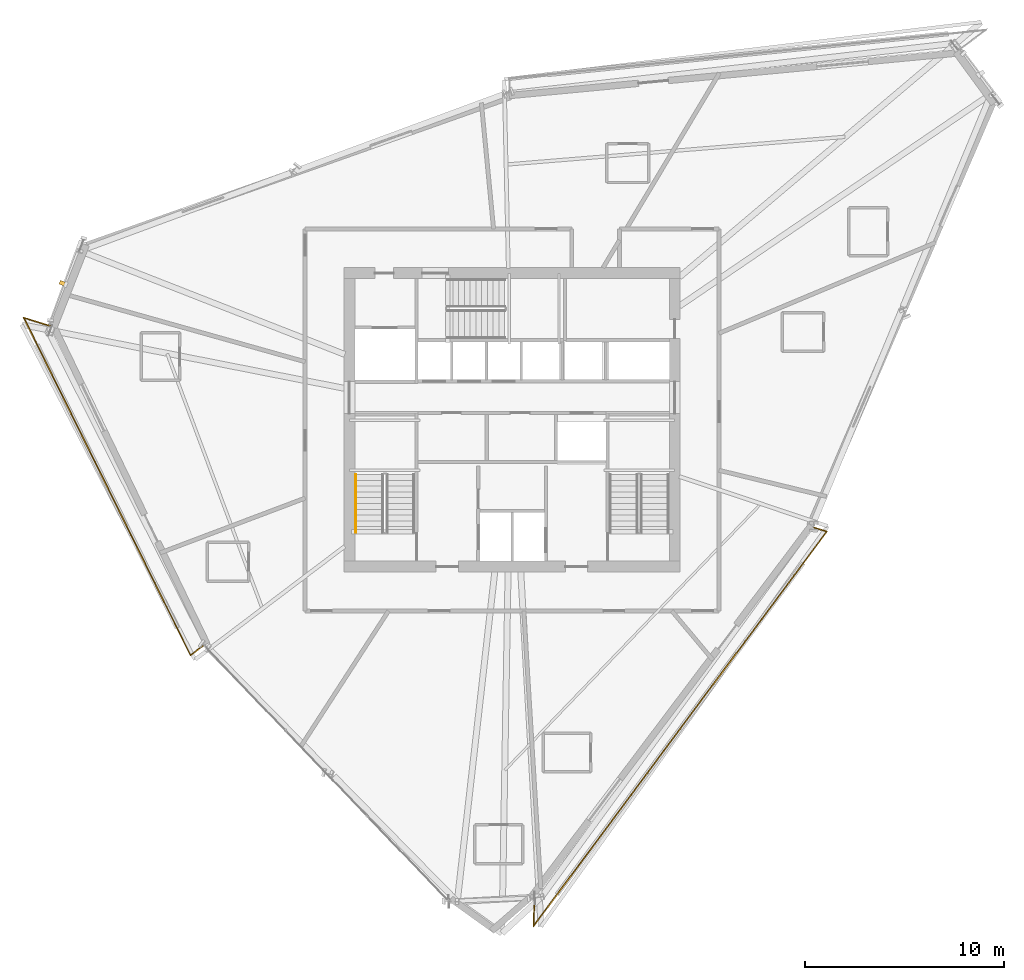
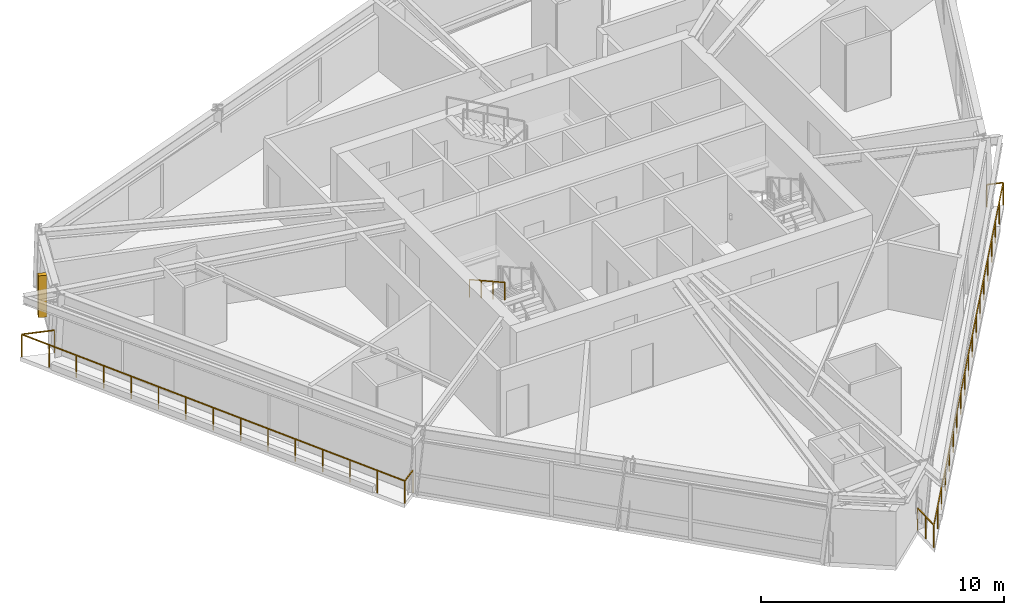
# One storey, part 12 of 14: 3 railings, 1 shading device.
"""IFC4 building model written with IfcOpenShell, lengths in metres."""

from ifc_helpers import new_model, si_unit, direction, frame, origin, origin_2d, place, context, subcontext, project, spatial, rectangle, extrude, source, transform, mapped, material, type_object, element, save


model = new_model("IFC4")

# Units and contexts
model_context = context("Model", 3, precision=1e-05, world=origin(), true_north=direction((0.0, 1.0)))
body_context = subcontext(model_context, "Body", "Model", "MODEL_VIEW")
ifc_project = project(units=[si_unit("LENGTHUNIT", "METRE"), si_unit("AREAUNIT", "SQUARE_METRE"), si_unit("VOLUMEUNIT", "CUBIC_METRE"), si_unit("PLANEANGLEUNIT", "RADIAN"), si_unit("MASSUNIT", "GRAM", prefix="KILO")], contexts=[model_context])

# Site, building, storey
site_placement = place(None, origin())
site = spatial("IfcSite", under=ifc_project, at=site_placement, CompositionType="ELEMENT")
building_placement = place(site_placement, origin())
building = spatial("IfcBuilding", under=site, at=building_placement, Name="Olszyna Solenne Hotel", CompositionType="ELEMENT")
storey_placement = place(building_placement, frame((0.0, 0.0, 182.10009765625)))
storey = spatial("IfcBuildingStorey", under=building, at=storey_placement, Name="L48", CompositionType="ELEMENT", Elevation=182.10009765625)

# Railings
ifc_material_1 = material(Name="Anodised bronze aluminium", Category="aluminium")
railing_type_1 = type_object("IfcRailingType", Name="GR-110", PredefinedType="BALUSTRADE", material=ifc_material_1)
railing_1_placement = place(storey_placement, frame((14.7744140625, 31.32470703125, 0.0)))
element("IfcRailing", 1, at=railing_1_placement, inside=storey, type_object=railing_type_1, Name="Loggia balcony balustrade guard GR-L48-LG2", PredefinedType="BALUSTRADE", context=body_context, shape_type="SweptSolid", body=[
    extrude(rectangle(XDim=0.048095703125, YDim=0.048095703125, at=origin_2d()), frame((0.0, 0.0, 1.1259765625), z_axis=(-0.954094924955, 0.299504380895, 0.0), x_axis=(-0.299504380895, -0.954094924955, 0.0)), (0.0, 0.0, 1.0), 1.379150390625),
    extrude(rectangle(XDim=0.048095703125, YDim=0.048095703125, at=origin_2d()), frame((-1.31591796875, 0.4130859375, 1.1259765625), z_axis=(0.442955137069, -0.896543778376, 0.0), x_axis=(0.896543778376, 0.442955137069, 0.0)), (0.0, 0.0, 1.0), 18.918701171875),
    extrude(rectangle(XDim=0.048095703125, YDim=0.048095703125, at=origin_2d()), frame((7.064208984375, -16.54833984375, 1.1259765625), z_axis=(0.804685702231, 0.593701036402, 0.0), x_axis=(-0.593701036402, 0.804685702231, 0.0)), (0.0, 0.0, 1.0), 0.845947265625),
    extrude(rectangle(XDim=0.0419921875, YDim=0.0419921875, at=origin_2d()), origin(), (0.0, 0.0, 1.0), 1.101806640625),
    extrude(rectangle(XDim=0.0419921875, YDim=0.0419921875, at=origin_2d()), frame((-1.31591796875, 0.4130859375, 0.0)), (0.0, 0.0, 1.0), 1.101806640625),
    extrude(rectangle(XDim=0.0419921875, YDim=0.0419921875, at=origin_2d()), frame((-0.71728515625, -0.79833984375, 0.0)), (0.0, 0.0, 1.0), 1.101806640625),
    extrude(rectangle(XDim=0.0419921875, YDim=0.0419921875, at=origin_2d()), frame((-0.11865234375, -2.010009765625, 0.0)), (0.0, 0.0, 1.0), 1.101806640625),
    extrude(rectangle(XDim=0.0419921875, YDim=0.0419921875, at=origin_2d()), frame((0.479736328125, -3.221435546875, 0.0)), (0.0, 0.0, 1.0), 1.101806640625),
    extrude(rectangle(XDim=0.0419921875, YDim=0.0419921875, at=origin_2d()), frame((1.078369140625, -4.43310546875, 0.0)), (0.0, 0.0, 1.0), 1.101806640625),
    extrude(rectangle(XDim=0.0419921875, YDim=0.0419921875, at=origin_2d()), frame((1.677001953125, -5.64453125, 0.0)), (0.0, 0.0, 1.0), 1.101806640625),
    extrude(rectangle(XDim=0.0419921875, YDim=0.0419921875, at=origin_2d()), frame((2.275634765625, -6.856201171875, 0.0)), (0.0, 0.0, 1.0), 1.101806640625),
    extrude(rectangle(XDim=0.0419921875, YDim=0.0419921875, at=origin_2d()), frame((2.8740234375, -8.067626953125, 0.0)), (0.0, 0.0, 1.0), 1.101806640625),
    extrude(rectangle(XDim=0.0419921875, YDim=0.0419921875, at=origin_2d()), frame((3.47265625, -9.279052734375, 0.0)), (0.0, 0.0, 1.0), 1.101806640625),
    extrude(rectangle(XDim=0.0419921875, YDim=0.0419921875, at=origin_2d()), frame((4.0712890625, -10.49072265625, 0.0)), (0.0, 0.0, 1.0), 1.101806640625),
    extrude(rectangle(XDim=0.0419921875, YDim=0.0419921875, at=origin_2d()), frame((4.669921875, -11.7021484375, 0.0)), (0.0, 0.0, 1.0), 1.101806640625),
    extrude(rectangle(XDim=0.0419921875, YDim=0.0419921875, at=origin_2d()), frame((5.2685546875, -12.913818359375, 0.0)), (0.0, 0.0, 1.0), 1.101806640625),
    extrude(rectangle(XDim=0.0419921875, YDim=0.0419921875, at=origin_2d()), frame((5.866943359375, -14.125244140625, 0.0)), (0.0, 0.0, 1.0), 1.101806640625),
    extrude(rectangle(XDim=0.0419921875, YDim=0.0419921875, at=origin_2d()), frame((6.465576171875, -15.3369140625, 0.0)), (0.0, 0.0, 1.0), 1.101806640625),
    extrude(rectangle(XDim=0.0419921875, YDim=0.0419921875, at=origin_2d()), frame((7.064208984375, -16.54833984375, 0.0)), (0.0, 0.0, 1.0), 1.101806640625),
    extrude(rectangle(XDim=0.0419921875, YDim=0.0419921875, at=origin_2d()), frame((7.744873046875, -16.046142578125, 0.0)), (0.0, 0.0, 1.0), 1.101806640625),
])
railing_2_placement = place(storey_placement, frame((39.125, 2.577392578125, 0.0)))
element("IfcRailing", 2, at=railing_2_placement, inside=storey, type_object=railing_type_1, Name="Loggia balcony balustrade guard GR-L48-LG3", PredefinedType="BALUSTRADE", context=body_context, shape_type="SweptSolid", body=[
    extrude(rectangle(XDim=0.048095703125, YDim=0.048095703125, at=origin_2d()), frame((0.0, 0.0, 1.1259765625), z_axis=(-0.032013890283, -0.999487424047, 0.0), x_axis=(0.999487424047, -0.032013890283, 0.0)), (0.0, 0.0, 1.0), 1.41845703125),
    extrude(rectangle(XDim=0.048095703125, YDim=0.048095703125, at=origin_2d()), frame((-0.04541015625, -1.417724609375, 1.1259765625), z_axis=(0.596476446834, 0.802630580263, 0.0), x_axis=(-0.802630580263, 0.596476446834, 0.0)), (0.0, 0.0, 1.0), 24.707275390625),
    extrude(rectangle(XDim=0.048095703125, YDim=0.048095703125, at=origin_2d()), frame((14.69189453125, 18.4130859375, 1.1259765625), z_axis=(-0.953993716901, 0.29982659674, 0.0), x_axis=(-0.29982659674, -0.953993716901, 0.0)), (0.0, 0.0, 1.0), 0.689697265625),
    extrude(rectangle(XDim=0.0419921875, YDim=0.0419921875, at=origin_2d()), origin(), (0.0, 0.0, 1.0), 1.101806640625),
    extrude(rectangle(XDim=0.0419921875, YDim=0.0419921875, at=origin_2d()), frame((-0.022705078125, -0.708984375, 0.0)), (0.0, 0.0, 1.0), 1.101806640625),
    extrude(rectangle(XDim=0.0419921875, YDim=0.0419921875, at=origin_2d()), frame((-0.04541015625, -1.417724609375, 0.0)), (0.0, 0.0, 1.0), 1.101806640625),
    extrude(rectangle(XDim=0.0419921875, YDim=0.0419921875, at=origin_2d()), frame((0.7734375, -0.31591796875, 0.0)), (0.0, 0.0, 1.0), 1.101806640625),
    extrude(rectangle(XDim=0.0419921875, YDim=0.0419921875, at=origin_2d()), frame((1.592041015625, 0.78564453125, 0.0)), (0.0, 0.0, 1.0), 1.101806640625),
    extrude(rectangle(XDim=0.0419921875, YDim=0.0419921875, at=origin_2d()), frame((2.410888671875, 1.887451171875, 0.0)), (0.0, 0.0, 1.0), 1.101806640625),
    extrude(rectangle(XDim=0.0419921875, YDim=0.0419921875, at=origin_2d()), frame((3.2294921875, 2.989013671875, 0.0)), (0.0, 0.0, 1.0), 1.101806640625),
    extrude(rectangle(XDim=0.0419921875, YDim=0.0419921875, at=origin_2d()), frame((4.04833984375, 4.0908203125, 0.0)), (0.0, 0.0, 1.0), 1.101806640625),
    extrude(rectangle(XDim=0.0419921875, YDim=0.0419921875, at=origin_2d()), frame((4.866943359375, 5.192626953125, 0.0)), (0.0, 0.0, 1.0), 1.101806640625),
    extrude(rectangle(XDim=0.0419921875, YDim=0.0419921875, at=origin_2d()), frame((5.685791015625, 6.294189453125, 0.0)), (0.0, 0.0, 1.0), 1.101806640625),
    extrude(rectangle(XDim=0.0419921875, YDim=0.0419921875, at=origin_2d()), frame((6.50439453125, 7.39599609375, 0.0)), (0.0, 0.0, 1.0), 1.101806640625),
    extrude(rectangle(XDim=0.0419921875, YDim=0.0419921875, at=origin_2d()), frame((7.3232421875, 8.49755859375, 0.0)), (0.0, 0.0, 1.0), 1.101806640625),
    extrude(rectangle(XDim=0.0419921875, YDim=0.0419921875, at=origin_2d()), frame((8.14208984375, 9.599365234375, 0.0)), (0.0, 0.0, 1.0), 1.101806640625),
    extrude(rectangle(XDim=0.0419921875, YDim=0.0419921875, at=origin_2d()), frame((8.960693359375, 10.701171875, 0.0)), (0.0, 0.0, 1.0), 1.101806640625),
    extrude(rectangle(XDim=0.0419921875, YDim=0.0419921875, at=origin_2d()), frame((9.779541015625, 11.802734375, 0.0)), (0.0, 0.0, 1.0), 1.101806640625),
    extrude(rectangle(XDim=0.0419921875, YDim=0.0419921875, at=origin_2d()), frame((10.59814453125, 12.904541015625, 0.0)), (0.0, 0.0, 1.0), 1.101806640625),
    extrude(rectangle(XDim=0.0419921875, YDim=0.0419921875, at=origin_2d()), frame((11.4169921875, 14.00634765625, 0.0)), (0.0, 0.0, 1.0), 1.101806640625),
    extrude(rectangle(XDim=0.0419921875, YDim=0.0419921875, at=origin_2d()), frame((12.235595703125, 15.10791015625, 0.0)), (0.0, 0.0, 1.0), 1.101806640625),
    extrude(rectangle(XDim=0.0419921875, YDim=0.0419921875, at=origin_2d()), frame((13.054443359375, 16.209716796875, 0.0)), (0.0, 0.0, 1.0), 1.101806640625),
    extrude(rectangle(XDim=0.0419921875, YDim=0.0419921875, at=origin_2d()), frame((13.873046875, 17.311279296875, 0.0)), (0.0, 0.0, 1.0), 1.101806640625),
    extrude(rectangle(XDim=0.0419921875, YDim=0.0419921875, at=origin_2d()), frame((14.69189453125, 18.4130859375, 0.0)), (0.0, 0.0, 1.0), 1.101806640625),
    extrude(rectangle(XDim=0.0419921875, YDim=0.0419921875, at=origin_2d()), frame((14.033935546875, 18.619873046875, 0.0)), (0.0, 0.0, 1.0), 1.101806640625),
])
ifc_material_2 = material(Name="Steel S355J2", Category="steel")
railing_type_2 = type_object("IfcRailingType", Name="HR-090", PredefinedType="HANDRAIL", material=ifc_material_2)
railing_3_placement = place(storey_placement, frame((30.14990234375, 23.85009765625, 1.936279296875)))
element("IfcRailing", 3, at=railing_3_placement, inside=storey, type_object=railing_type_2, Name="L48 ST1 stair handrail 2", PredefinedType="HANDRAIL", context=body_context, shape_type="SweptSolid", body=[
    extrude(rectangle(XDim=0.048095703125, YDim=0.048095703125, at=origin_2d()), frame((0.0, 0.0, 0.8759765625), z_axis=(0.0, -0.873858693841, 0.486179990537), x_axis=(1.0, 0.0, 0.0)), (0.0, 0.0, 1.0), 3.31884765625),
    extrude(rectangle(XDim=0.0419921875, YDim=0.0419921875, at=origin_2d()), origin(), (0.0, 0.0, 1.0), 0.851806640625),
    extrude(rectangle(XDim=0.0419921875, YDim=0.0419921875, at=origin_2d()), frame((0.0, -0.966796875, 0.537841796875)), (0.0, 0.0, 1.0), 0.851806640625),
    extrude(rectangle(XDim=0.0419921875, YDim=0.0419921875, at=origin_2d()), frame((0.0, -1.933349609375, 1.07568359375)), (0.0, 0.0, 1.0), 0.851806640625),
    extrude(rectangle(XDim=0.0419921875, YDim=0.0419921875, at=origin_2d()), frame((0.0, -2.900146484375, 1.613525390625)), (0.0, 0.0, 1.0), 0.851806640625),
])

# Shading device
ifc_material_3 = material(Name="Terracotta cladding", Category="masonry")
shading_device_type = type_object("IfcShadingDeviceType", Name="SH-FN1", PredefinedType="USERDEFINED", material=ifc_material_3)
shared_shape = source(origin(), body_context, "Body", "SweptSolid", [
    extrude(rectangle(XDim=0.199951171875, YDim=0.35009765625, at=origin_2d()), origin(), (0.0, 0.0, 1.0), 2.10009765625),
])
shading_device_placement = place(storey_placement, frame((15.4287109375, 33.46044921875, 0.310791015625), z_axis=(0.0, 0.0, 1.0), x_axis=(0.364876784338, 0.931055815863, 0.0)))
element("IfcShadingDevice", 4, at=shading_device_placement, inside=storey, type_object=shading_device_type, Name="Chamfer wind-corner terracotta fin FN-L48-06", ObjectType="FIN", PredefinedType="USERDEFINED", context=body_context, shape_type="MappedRepresentation", body=[
    mapped(shared_shape, transform((0.0, 0.0, 0.0), x_axis=(1.0, 0.0, 0.0), y_axis=(0.0, 1.0, 0.0), z_axis=(0.0, 0.0, 1.0), scale=1.0)),
])

save(model, "model.ifc")
